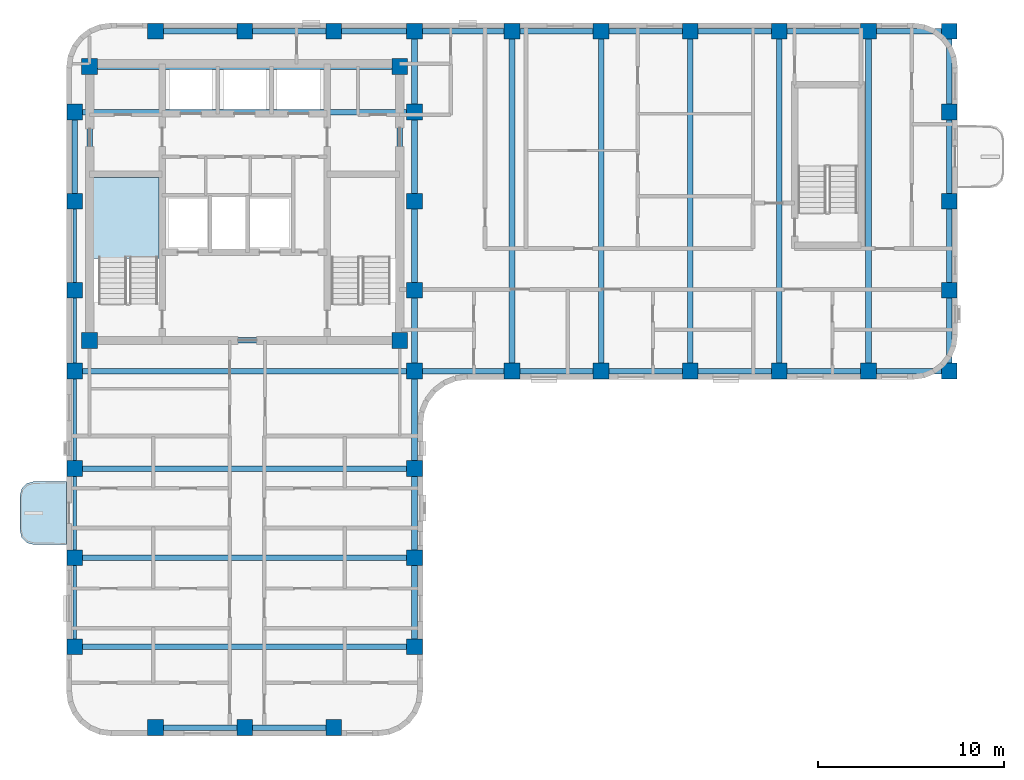
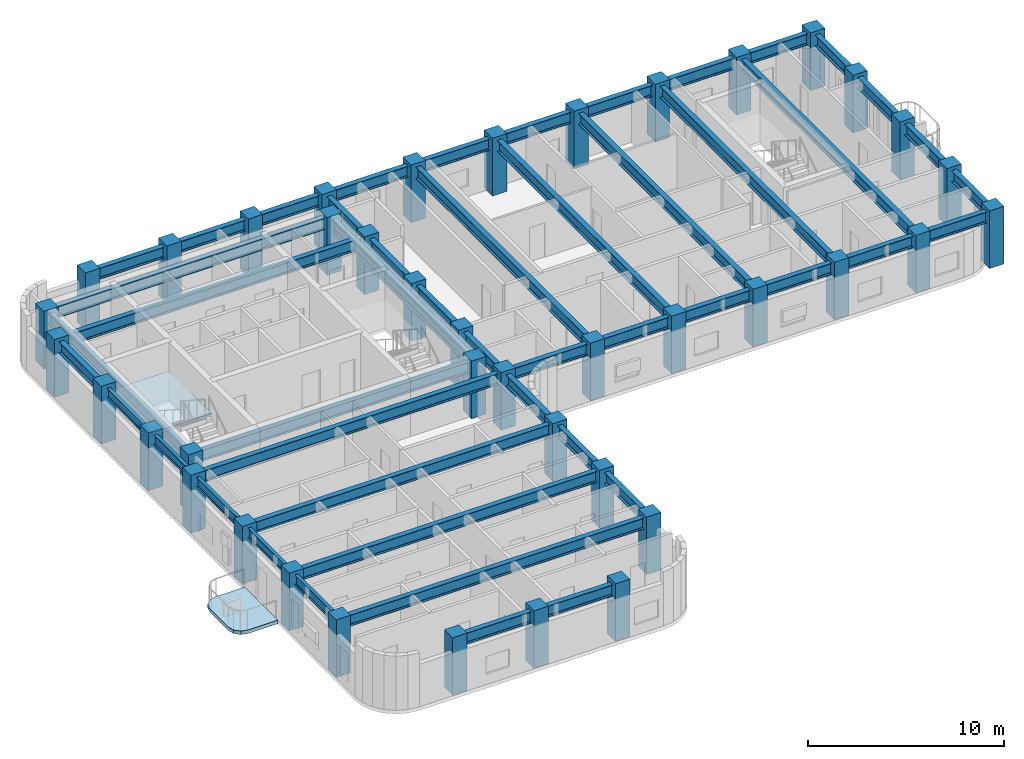
# One storey, part 1 of 10: 48 beams, 40 columns, 2 slabs, 1 element without a shape of its own.
"""IFC4 building model written with IfcOpenShell, lengths in metres."""

from ifc_helpers import new_model, si_unit, direction, frame, origin, origin_2d, place, context, subcontext, project, spatial, polyline, rectangle, i_section, outline, extrude, material, layer, layer_set, material_profile, profile_set, type_object, element, aggregate, save


model = new_model("IFC4")

# Units and contexts
model_context = context("Model", 3, precision=1e-05, world=origin(), true_north=direction((0.0, 1.0)))
body_context = subcontext(model_context, "Body", "Model", "MODEL_VIEW")
ifc_project = project(units=[si_unit("LENGTHUNIT", "METRE"), si_unit("AREAUNIT", "SQUARE_METRE"), si_unit("VOLUMEUNIT", "CUBIC_METRE"), si_unit("PLANEANGLEUNIT", "RADIAN"), si_unit("MASSUNIT", "GRAM", prefix="KILO")], contexts=[model_context])

# Site, building, storey
site_placement = place(None, origin())
site = spatial("IfcSite", under=ifc_project, at=site_placement, CompositionType="ELEMENT")
building_placement = place(site_placement, origin())
building = spatial("IfcBuilding", under=site, at=building_placement, Name="Orvandelia Arch Residences", CompositionType="ELEMENT")
storey_placement = place(building_placement, frame((0.0, 0.0, 211.0)))
storey = spatial("IfcBuildingStorey", under=building, at=storey_placement, Name="L55", CompositionType="ELEMENT", Elevation=211.0)

# Columns
ifc_material_1 = material(Name="Concrete C60/75", Category="concrete")
ifc_material_profile_1 = material_profile(ifc_material_1, rectangle(XDim=0.85009765625, YDim=0.85009765625, at=origin_2d()), Name="Concrete C60/75", Category="concrete")
ifc_profile_set_1 = profile_set([ifc_material_profile_1], Name="Concrete C60/75")
column_type = type_object("IfcColumnType", Name="COL-TWR-850", PredefinedType="COLUMN", material=ifc_profile_set_1)
for number, where, z_axis, x_axis, name in (
    (1, (5.25, 14.39990234375, 0.0), (0.0, 0.0, 1.0), (1.0, 0.0, 0.0), "Structural Column L55-W-W-144"),
    (2, (5.25, 19.199951171875, 0.0), (0.0, 0.0, 1.0), (1.0, 0.0, 0.0), "Structural Column L55-W-W-192"),
    (3, (5.25, 24.0, 0.0), (0.0, 0.0, 1.0), (1.0, 0.0, 0.0), "Structural Column L55-W-W-240"),
    (4, (5.25, 29.25, 0.0), (0.0, 0.0, 1.0), (1.0, 0.0, 0.0), "Structural Column L55-W-W-292"),
    (5, (5.25, 33.60009765625, 0.0), (0.0, 0.0, 1.0), (1.0, 0.0, 0.0), "Structural Column L55-W-W-336"),
    (6, (5.25, 38.39990234375, 0.0), (0.0, 0.0, 1.0), (1.0, 0.0, 0.0), "Structural Column L55-W-W-384"),
    (7, (5.25, 43.199951171875, 0.0), (0.0, 0.0, 1.0), (1.0, 0.0, 0.0), "Structural Column L55-W-W-432"),
    (8, (6.050048828125, 30.89990234375, 0.0), (0.0, 0.0, 1.0), (1.0, 0.0, 0.0), "Structural Column L55-CR-SW"),
    (9, (6.050048828125, 45.64990234375, 0.0), (0.0, 0.0, 1.0), (1.0, 0.0, 0.0), "Structural Column L55-CR-NW"),
    (10, (9.60009765625, 10.050048828125, 0.0), (0.0, 0.0, 1.0), (1.0, 0.0, 0.0), "Structural Column L55-W-S-96"),
    (11, (9.60009765625, 47.550048828125, 0.0), (0.0, 0.0, 1.0), (1.0, 0.0, 0.0), "Structural Column L55-W-N-96"),
    (12, (14.39990234375, 10.050048828125, 0.0), (0.0, 0.0, 1.0), (1.0, 0.0, 0.0), "Structural Column L55-W-S-144"),
    (13, (14.39990234375, 47.550048828125, 0.0), (0.0, 0.0, 1.0), (1.0, 0.0, 0.0), "Structural Column L55-W-N-144"),
    (14, (19.199951171875, 10.050048828125, 0.0), (0.0, 0.0, 1.0), (1.0, 0.0, 0.0), "Structural Column L55-W-S-192"),
    (15, (19.199951171875, 47.550048828125, 0.0), (0.0, 0.0, 1.0), (1.0, 0.0, 0.0), "Structural Column L55-W-N-192"),
    (16, (22.75, 30.89990234375, 0.0), (0.0, 0.0, 1.0), (1.0, 0.0, 0.0), "Structural Column L55-CR-SE"),
    (17, (22.75, 45.64990234375, 0.0), (0.0, 0.0, 1.0), (1.0, 0.0, 0.0), "Structural Column L55-CR-NE"),
    (18, (23.550048828125, 14.39990234375, 0.0), (0.0, 0.0, 1.0), (1.0, 0.0, 0.0), "Structural Column L55-W-E-144"),
    (19, (23.550048828125, 19.199951171875, 0.0), (0.0, 0.0, 1.0), (1.0, 0.0, 0.0), "Structural Column L55-W-E-192"),
    (20, (23.550048828125, 24.0, 0.0), (0.0, 0.0, 1.0), (1.0, 0.0, 0.0), "Structural Column L55-W-E-240"),
    (21, (23.550048828125, 29.25, 0.0), (0.0, 0.0, 1.0), (1.0, 0.0, 0.0), "Structural Column L55-W-E-292"),
    (22, (23.550048828125, 33.60009765625, 0.0), (0.0, 0.0, 1.0), (1.0, 0.0, 0.0), "Structural Column L55-W-E-336"),
    (23, (23.550048828125, 38.39990234375, 0.0), (0.0, 0.0, 1.0), (1.0, 0.0, 0.0), "Structural Column L55-W-E-384"),
    (24, (23.550048828125, 43.199951171875, 0.0), (0.0, 0.0, 1.0), (1.0, 0.0, 0.0), "Structural Column L55-W-E-432"),
    (25, (23.550048828125, 47.550048828125, 0.0), (0.0, 0.0, 1.0), (1.0, 0.0, 0.0), "Structural Column L55-W-N-235"),
    (26, (28.800048828125, 29.25, 0.0), (0.0, 0.0, 1.0), (1.0, 0.0, 0.0), "Structural Column L55-E-S-288"),
    (27, (28.800048828125, 47.550048828125, 0.0), (0.0, 0.0, 1.0), (1.0, 0.0, 0.0), "Structural Column L55-E-N-288"),
    (28, (33.60009765625, 29.25, 0.0), (0.0, 0.0, 1.0), (1.0, 0.0, 0.0), "Structural Column L55-E-S-336"),
    (29, (33.60009765625, 47.550048828125, 0.0), (0.0, 0.0, 1.0), (1.0, 0.0, 0.0), "Structural Column L55-E-N-336"),
    (30, (38.39990234375, 29.25, 0.0), (0.0, 0.0, 1.0), (1.0, 0.0, 0.0), "Structural Column L55-E-S-384"),
    (31, (38.39990234375, 47.550048828125, 0.0), (0.0, 0.0, 1.0), (1.0, 0.0, 0.0), "Structural Column L55-E-N-384"),
    (32, (43.199951171875, 29.25, 0.0), (0.0, 0.0, 1.0), (1.0, 0.0, 0.0), "Structural Column L55-E-S-432"),
    (33, (43.199951171875, 47.550048828125, 0.0), (0.0, 0.0, 1.0), (1.0, 0.0, 0.0), "Structural Column L55-E-N-432"),
    (34, (48.0, 29.25, 0.0), (0.0, 0.0, 1.0), (1.0, 0.0, 0.0), "Structural Column L55-E-S-480"),
    (35, (48.0, 47.550048828125, 0.0), (0.0, 0.0, 1.0), (1.0, 0.0, 0.0), "Structural Column L55-E-N-480"),
    (36, (52.35009765625, 29.25, 0.0), (0.0, 0.0, 1.0), (1.0, 0.0, 0.0), "Structural Column L55-E-S-523"),
    (37, (52.35009765625, 33.60009765625, 0.0), (0.0, 0.0, 1.0), (1.0, 0.0, 0.0), "Structural Column L55-E-523-336"),
    (38, (52.35009765625, 38.39990234375, 0.0), (0.0, 0.0, 1.0), (1.0, 0.0, 0.0), "Structural Column L55-E-523-384"),
    (39, (52.35009765625, 43.199951171875, 0.0), (0.0, 0.0, 1.0), (1.0, 0.0, 0.0), "Structural Column L55-E-523-432"),
    (40, (52.35009765625, 47.550048828125, 0.0), (0.0, 0.0, 1.0), (1.0, 0.0, 0.0), "Structural Column L55-E-N-523"),
):
    element("IfcColumn", number, at=place(storey_placement, frame(where, z_axis=z_axis, x_axis=x_axis)), inside=storey, type_object=column_type, Name=name, PredefinedType="COLUMN", context=body_context, shape_type="SweptSolid", body=[
        extrude(rectangle(XDim=0.85009765625, YDim=0.85009765625, at=origin_2d()), origin(), (0.0, 0.0, 1.0), 3.60009765625),
    ])

# Beams
ifc_material_2 = material(Name="Structural Steel SM355 (355 MPa)", Category="steel")
ifc_material_profile_2 = material_profile(ifc_material_2, i_section(OverallWidth=0.300048828125, OverallDepth=0.699951171875, WebThickness=0.012939453125, FlangeThickness=0.02392578125, FilletRadius=0.02392578125, at=origin_2d()), Name="Structural Steel SM355 (355 MPa)", Category="steel")
ifc_profile_set_2 = profile_set([ifc_material_profile_2], Name="Structural Steel SM355 (355 MPa)")
beam_type_1 = type_object("IfcBeamType", Name="BM-GRD-H700", PredefinedType="BEAM", material=ifc_profile_set_2)
beam_1_placement = place(storey_placement, frame((5.25, 38.39990234375, 3.030029296875), z_axis=(0.0, 1.0, 0.0), x_axis=(-1.0, 0.0, 0.0)))
element("IfcBeam", 41, at=beam_1_placement, inside=storey, type_object=beam_type_1, Name="Structural Frame Beam L55-NS-006", PredefinedType="BEAM", context=body_context, shape_type="SweptSolid", body=[
    extrude(i_section(OverallWidth=0.300048828125, OverallDepth=0.699951171875, WebThickness=0.012939453125, FlangeThickness=0.02392578125, FilletRadius=0.02392578125, at=origin_2d()), origin(), (0.0, 0.0, 1.0), 4.800048828125),
])
for number, where, z_axis, x_axis, name in (
    (42, (6.050048828125, 30.89990234375, 3.030029296875), (0.0, 1.0, 0.0), (-1.0, 0.0, 0.0), "Structural Frame Beam L55-NS-007"),
    (43, (22.75, 30.89990234375, 3.030029296875), (0.0, 1.0, 0.0), (-1.0, 0.0, 0.0), "Structural Frame Beam L55-NS-008"),
):
    element("IfcBeam", number, at=place(storey_placement, frame(where, z_axis=z_axis, x_axis=x_axis)), inside=storey, type_object=beam_type_1, Name=name, PredefinedType="BEAM", context=body_context, shape_type="SweptSolid", body=[
        extrude(i_section(OverallWidth=0.300048828125, OverallDepth=0.699951171875, WebThickness=0.012939453125, FlangeThickness=0.02392578125, FilletRadius=0.02392578125, at=origin_2d()), origin(), (0.0, 0.0, 1.0), 14.75),
    ])
for number, where, z_axis, x_axis, name in (
    (44, (23.550048828125, 14.39990234375, 3.030029296875), (0.0, 1.0, 0.0), (-1.0, 0.0, 0.0), "Structural Frame Beam L55-NS-009"),
    (45, (23.550048828125, 19.199951171875, 3.030029296875), (0.0, 1.0, 0.0), (-1.0, 0.0, 0.0), "Structural Frame Beam L55-NS-010"),
):
    element("IfcBeam", number, at=place(storey_placement, frame(where, z_axis=z_axis, x_axis=x_axis)), inside=storey, type_object=beam_type_1, Name=name, PredefinedType="BEAM", context=body_context, shape_type="SweptSolid", body=[
        extrude(i_section(OverallWidth=0.300048828125, OverallDepth=0.699951171875, WebThickness=0.012939453125, FlangeThickness=0.02392578125, FilletRadius=0.02392578125, at=origin_2d()), origin(), (0.0, 0.0, 1.0), 4.800048828125),
    ])
beam_2_placement = place(storey_placement, frame((23.550048828125, 24.0, 3.030029296875), z_axis=(0.0, 1.0, 0.0), x_axis=(-1.0, 0.0, 0.0)))
element("IfcBeam", 46, at=beam_2_placement, inside=storey, type_object=beam_type_1, Name="Structural Frame Beam L55-NS-011", PredefinedType="BEAM", context=body_context, shape_type="SweptSolid", body=[
    extrude(i_section(OverallWidth=0.300048828125, OverallDepth=0.699951171875, WebThickness=0.012939453125, FlangeThickness=0.02392578125, FilletRadius=0.02392578125, at=origin_2d()), origin(), (0.0, 0.0, 1.0), 5.25),
])
beam_3_placement = place(storey_placement, frame((23.550048828125, 29.25, 3.030029296875), z_axis=(0.0, 1.0, 0.0), x_axis=(-1.0, 0.0, 0.0)))
element("IfcBeam", 47, at=beam_3_placement, inside=storey, type_object=beam_type_1, Name="Structural Frame Beam L55-NS-012", PredefinedType="BEAM", context=body_context, shape_type="SweptSolid", body=[
    extrude(i_section(OverallWidth=0.300048828125, OverallDepth=0.699951171875, WebThickness=0.012939453125, FlangeThickness=0.02392578125, FilletRadius=0.02392578125, at=origin_2d()), origin(), (0.0, 0.0, 1.0), 4.35009765625),
])
beam_4_placement = place(storey_placement, frame((23.550048828125, 33.60009765625, 3.030029296875), z_axis=(0.0, 1.0, 0.0), x_axis=(-1.0, 0.0, 0.0)))
element("IfcBeam", 48, at=beam_4_placement, inside=storey, type_object=beam_type_1, Name="Structural Frame Beam L55-NS-013", PredefinedType="BEAM", context=body_context, shape_type="SweptSolid", body=[
    extrude(i_section(OverallWidth=0.300048828125, OverallDepth=0.699951171875, WebThickness=0.012939453125, FlangeThickness=0.02392578125, FilletRadius=0.02392578125, at=origin_2d()), origin(), (0.0, 0.0, 1.0), 4.7998046875),
])
beam_5_placement = place(storey_placement, frame((23.550048828125, 38.39990234375, 3.030029296875), z_axis=(0.0, 1.0, 0.0), x_axis=(-1.0, 0.0, 0.0)))
element("IfcBeam", 49, at=beam_5_placement, inside=storey, type_object=beam_type_1, Name="Structural Frame Beam L55-NS-014", PredefinedType="BEAM", context=body_context, shape_type="SweptSolid", body=[
    extrude(i_section(OverallWidth=0.300048828125, OverallDepth=0.699951171875, WebThickness=0.012939453125, FlangeThickness=0.02392578125, FilletRadius=0.02392578125, at=origin_2d()), origin(), (0.0, 0.0, 1.0), 4.800048828125),
])
beam_6_placement = place(storey_placement, frame((23.550048828125, 43.199951171875, 3.030029296875), z_axis=(0.0, 1.0, 0.0), x_axis=(-1.0, 0.0, 0.0)))
element("IfcBeam", 50, at=beam_6_placement, inside=storey, type_object=beam_type_1, Name="Structural Frame Beam L55-NS-015", PredefinedType="BEAM", context=body_context, shape_type="SweptSolid", body=[
    extrude(i_section(OverallWidth=0.300048828125, OverallDepth=0.699951171875, WebThickness=0.012939453125, FlangeThickness=0.02392578125, FilletRadius=0.02392578125, at=origin_2d()), origin(), (0.0, 0.0, 1.0), 4.35009765625),
])
for number, where, z_axis, x_axis, name in (
    (51, (28.800048828125, 29.25, 3.030029296875), (0.0, 1.0, 0.0), (-1.0, 0.0, 0.0), "Structural Frame Beam L55-NS-016"),
    (52, (33.60009765625, 29.25, 3.030029296875), (0.0, 1.0, 0.0), (-1.0, 0.0, 0.0), "Structural Frame Beam L55-NS-017"),
    (53, (38.39990234375, 29.25, 3.030029296875), (0.0, 1.0, 0.0), (-1.0, 0.0, 0.0), "Structural Frame Beam L55-NS-018"),
    (54, (43.199951171875, 29.25, 3.030029296875), (0.0, 1.0, 0.0), (-1.0, 0.0, 0.0), "Structural Frame Beam L55-NS-019"),
    (55, (48.0, 29.25, 3.030029296875), (0.0, 1.0, 0.0), (-1.0, 0.0, 0.0), "Structural Frame Beam L55-NS-020"),
):
    element("IfcBeam", number, at=place(storey_placement, frame(where, z_axis=z_axis, x_axis=x_axis)), inside=storey, type_object=beam_type_1, Name=name, PredefinedType="BEAM", context=body_context, shape_type="SweptSolid", body=[
        extrude(i_section(OverallWidth=0.300048828125, OverallDepth=0.699951171875, WebThickness=0.012939453125, FlangeThickness=0.02392578125, FilletRadius=0.02392578125, at=origin_2d()), origin(), (0.0, 0.0, 1.0), 18.300048828125),
    ])
beam_7_placement = place(storey_placement, frame((52.35009765625, 29.25, 3.030029296875), z_axis=(0.0, 1.0, 0.0), x_axis=(-1.0, 0.0, 0.0)))
element("IfcBeam", 56, at=beam_7_placement, inside=storey, type_object=beam_type_1, Name="Structural Frame Beam L55-NS-021", PredefinedType="BEAM", context=body_context, shape_type="SweptSolid", body=[
    extrude(i_section(OverallWidth=0.300048828125, OverallDepth=0.699951171875, WebThickness=0.012939453125, FlangeThickness=0.02392578125, FilletRadius=0.02392578125, at=origin_2d()), origin(), (0.0, 0.0, 1.0), 4.35009765625),
])
beam_8_placement = place(storey_placement, frame((52.35009765625, 33.60009765625, 3.030029296875), z_axis=(0.0, 1.0, 0.0), x_axis=(-1.0, 0.0, 0.0)))
element("IfcBeam", 57, at=beam_8_placement, inside=storey, type_object=beam_type_1, Name="Structural Frame Beam L55-NS-022", PredefinedType="BEAM", context=body_context, shape_type="SweptSolid", body=[
    extrude(i_section(OverallWidth=0.300048828125, OverallDepth=0.699951171875, WebThickness=0.012939453125, FlangeThickness=0.02392578125, FilletRadius=0.02392578125, at=origin_2d()), origin(), (0.0, 0.0, 1.0), 4.7998046875),
])
beam_9_placement = place(storey_placement, frame((52.35009765625, 38.39990234375, 3.030029296875), z_axis=(0.0, 1.0, 0.0), x_axis=(-1.0, 0.0, 0.0)))
element("IfcBeam", 58, at=beam_9_placement, inside=storey, type_object=beam_type_1, Name="Structural Frame Beam L55-NS-023", PredefinedType="BEAM", context=body_context, shape_type="SweptSolid", body=[
    extrude(i_section(OverallWidth=0.300048828125, OverallDepth=0.699951171875, WebThickness=0.012939453125, FlangeThickness=0.02392578125, FilletRadius=0.02392578125, at=origin_2d()), origin(), (0.0, 0.0, 1.0), 4.800048828125),
])
beam_10_placement = place(storey_placement, frame((52.35009765625, 43.199951171875, 3.030029296875), z_axis=(0.0, 1.0, 0.0), x_axis=(-1.0, 0.0, 0.0)))
element("IfcBeam", 59, at=beam_10_placement, inside=storey, type_object=beam_type_1, Name="Structural Frame Beam L55-NS-024", PredefinedType="BEAM", context=body_context, shape_type="SweptSolid", body=[
    extrude(i_section(OverallWidth=0.300048828125, OverallDepth=0.699951171875, WebThickness=0.012939453125, FlangeThickness=0.02392578125, FilletRadius=0.02392578125, at=origin_2d()), origin(), (0.0, 0.0, 1.0), 4.35009765625),
])
beam_11_placement = place(storey_placement, frame((9.60009765625, 10.050048828125, 3.030029296875), z_axis=(1.0, 0.0, 0.0), x_axis=(0.0, 1.0, 0.0)))
element("IfcBeam", 60, at=beam_11_placement, inside=storey, type_object=beam_type_1, Name="Structural Frame Girder L55-EW-025", PredefinedType="BEAM", context=body_context, shape_type="SweptSolid", body=[
    extrude(i_section(OverallWidth=0.300048828125, OverallDepth=0.699951171875, WebThickness=0.012939453125, FlangeThickness=0.02392578125, FilletRadius=0.02392578125, at=origin_2d()), origin(), (0.0, 0.0, 1.0), 4.7998046875),
])
beam_12_placement = place(storey_placement, frame((14.39990234375, 10.050048828125, 3.030029296875), z_axis=(1.0, 0.0, 0.0), x_axis=(0.0, 1.0, 0.0)))
element("IfcBeam", 61, at=beam_12_placement, inside=storey, type_object=beam_type_1, Name="Structural Frame Girder L55-EW-026", PredefinedType="BEAM", context=body_context, shape_type="SweptSolid", body=[
    extrude(i_section(OverallWidth=0.300048828125, OverallDepth=0.699951171875, WebThickness=0.012939453125, FlangeThickness=0.02392578125, FilletRadius=0.02392578125, at=origin_2d()), origin(), (0.0, 0.0, 1.0), 4.800048828125),
])
for number, where, z_axis, x_axis, name in (
    (62, (5.25, 14.39990234375, 3.030029296875), (1.0, 0.0, 0.0), (0.0, 1.0, 0.0), "Structural Frame Girder L55-EW-027"),
    (63, (5.25, 19.199951171875, 3.030029296875), (1.0, 0.0, 0.0), (0.0, 1.0, 0.0), "Structural Frame Girder L55-EW-028"),
    (64, (5.25, 24.0, 3.030029296875), (1.0, 0.0, 0.0), (0.0, 1.0, 0.0), "Structural Frame Girder L55-EW-029"),
    (65, (5.25, 29.25, 3.030029296875), (1.0, 0.0, 0.0), (0.0, 1.0, 0.0), "Structural Frame Girder L55-EW-030"),
):
    element("IfcBeam", number, at=place(storey_placement, frame(where, z_axis=z_axis, x_axis=x_axis)), inside=storey, type_object=beam_type_1, Name=name, PredefinedType="BEAM", context=body_context, shape_type="SweptSolid", body=[
        extrude(i_section(OverallWidth=0.300048828125, OverallDepth=0.699951171875, WebThickness=0.012939453125, FlangeThickness=0.02392578125, FilletRadius=0.02392578125, at=origin_2d()), origin(), (0.0, 0.0, 1.0), 18.300048828125),
    ])
beam_13_placement = place(storey_placement, frame((23.550048828125, 29.25, 3.030029296875), z_axis=(1.0, 0.0, 0.0), x_axis=(0.0, 1.0, 0.0)))
element("IfcBeam", 66, at=beam_13_placement, inside=storey, type_object=beam_type_1, Name="Structural Frame Girder L55-EW-031", PredefinedType="BEAM", context=body_context, shape_type="SweptSolid", body=[
    extrude(i_section(OverallWidth=0.300048828125, OverallDepth=0.699951171875, WebThickness=0.012939453125, FlangeThickness=0.02392578125, FilletRadius=0.02392578125, at=origin_2d()), origin(), (0.0, 0.0, 1.0), 5.25),
])
beam_14_placement = place(storey_placement, frame((28.800048828125, 29.25, 3.030029296875), z_axis=(1.0, 0.0, 0.0), x_axis=(0.0, 1.0, 0.0)))
element("IfcBeam", 67, at=beam_14_placement, inside=storey, type_object=beam_type_1, Name="Structural Frame Girder L55-EW-032", PredefinedType="BEAM", context=body_context, shape_type="SweptSolid", body=[
    extrude(i_section(OverallWidth=0.300048828125, OverallDepth=0.699951171875, WebThickness=0.012939453125, FlangeThickness=0.02392578125, FilletRadius=0.02392578125, at=origin_2d()), origin(), (0.0, 0.0, 1.0), 4.800048828125),
])
beam_15_placement = place(storey_placement, frame((33.60009765625, 29.25, 3.030029296875), z_axis=(1.0, 0.0, 0.0), x_axis=(0.0, 1.0, 0.0)))
element("IfcBeam", 68, at=beam_15_placement, inside=storey, type_object=beam_type_1, Name="Structural Frame Girder L55-EW-033", PredefinedType="BEAM", context=body_context, shape_type="SweptSolid", body=[
    extrude(i_section(OverallWidth=0.300048828125, OverallDepth=0.699951171875, WebThickness=0.012939453125, FlangeThickness=0.02392578125, FilletRadius=0.02392578125, at=origin_2d()), origin(), (0.0, 0.0, 1.0), 4.7998046875),
])
for number, where, z_axis, x_axis, name in (
    (69, (38.39990234375, 29.25, 3.030029296875), (1.0, 0.0, 0.0), (0.0, 1.0, 0.0), "Structural Frame Girder L55-EW-034"),
    (70, (43.199951171875, 29.25, 3.030029296875), (1.0, 0.0, 0.0), (0.0, 1.0, 0.0), "Structural Frame Girder L55-EW-035"),
):
    element("IfcBeam", number, at=place(storey_placement, frame(where, z_axis=z_axis, x_axis=x_axis)), inside=storey, type_object=beam_type_1, Name=name, PredefinedType="BEAM", context=body_context, shape_type="SweptSolid", body=[
        extrude(i_section(OverallWidth=0.300048828125, OverallDepth=0.699951171875, WebThickness=0.012939453125, FlangeThickness=0.02392578125, FilletRadius=0.02392578125, at=origin_2d()), origin(), (0.0, 0.0, 1.0), 4.800048828125),
    ])
beam_16_placement = place(storey_placement, frame((48.0, 29.25, 3.030029296875), z_axis=(1.0, 0.0, 0.0), x_axis=(0.0, 1.0, 0.0)))
element("IfcBeam", 71, at=beam_16_placement, inside=storey, type_object=beam_type_1, Name="Structural Frame Girder L55-EW-036", PredefinedType="BEAM", context=body_context, shape_type="SweptSolid", body=[
    extrude(i_section(OverallWidth=0.300048828125, OverallDepth=0.699951171875, WebThickness=0.012939453125, FlangeThickness=0.02392578125, FilletRadius=0.02392578125, at=origin_2d()), origin(), (0.0, 0.0, 1.0), 4.35009765625),
])
beam_17_placement = place(storey_placement, frame((6.050048828125, 30.89990234375, 3.030029296875), z_axis=(1.0, 0.0, 0.0), x_axis=(0.0, 1.0, 0.0)))
element("IfcBeam", 72, at=beam_17_placement, inside=storey, type_object=beam_type_1, Name="Structural Frame Girder L55-EW-037", PredefinedType="BEAM", context=body_context, shape_type="SweptSolid", body=[
    extrude(i_section(OverallWidth=0.300048828125, OverallDepth=0.699951171875, WebThickness=0.012939453125, FlangeThickness=0.02392578125, FilletRadius=0.02392578125, at=origin_2d()), origin(), (0.0, 0.0, 1.0), 16.699951171875),
])
beam_18_placement = place(storey_placement, frame((5.25, 43.199951171875, 3.030029296875), z_axis=(1.0, 0.0, 0.0), x_axis=(0.0, 1.0, 0.0)))
element("IfcBeam", 73, at=beam_18_placement, inside=storey, type_object=beam_type_1, Name="Structural Frame Girder L55-EW-040", PredefinedType="BEAM", context=body_context, shape_type="SweptSolid", body=[
    extrude(i_section(OverallWidth=0.300048828125, OverallDepth=0.699951171875, WebThickness=0.012939453125, FlangeThickness=0.02392578125, FilletRadius=0.02392578125, at=origin_2d()), origin(), (0.0, 0.0, 1.0), 18.300048828125),
])
beam_19_placement = place(storey_placement, frame((6.050048828125, 45.64990234375, 3.030029296875), z_axis=(1.0, 0.0, 0.0), x_axis=(0.0, 1.0, 0.0)))
element("IfcBeam", 74, at=beam_19_placement, inside=storey, type_object=beam_type_1, Name="Structural Frame Girder L55-EW-041", PredefinedType="BEAM", context=body_context, shape_type="SweptSolid", body=[
    extrude(i_section(OverallWidth=0.300048828125, OverallDepth=0.699951171875, WebThickness=0.012939453125, FlangeThickness=0.02392578125, FilletRadius=0.02392578125, at=origin_2d()), origin(), (0.0, 0.0, 1.0), 16.699951171875),
])
beam_20_placement = place(storey_placement, frame((9.60009765625, 47.550048828125, 3.030029296875), z_axis=(1.0, 0.0, 0.0), x_axis=(0.0, 1.0, 0.0)))
element("IfcBeam", 75, at=beam_20_placement, inside=storey, type_object=beam_type_1, Name="Structural Frame Girder L55-EW-042", PredefinedType="BEAM", context=body_context, shape_type="SweptSolid", body=[
    extrude(i_section(OverallWidth=0.300048828125, OverallDepth=0.699951171875, WebThickness=0.012939453125, FlangeThickness=0.02392578125, FilletRadius=0.02392578125, at=origin_2d()), origin(), (0.0, 0.0, 1.0), 4.7998046875),
])
beam_21_placement = place(storey_placement, frame((14.39990234375, 47.550048828125, 3.030029296875), z_axis=(1.0, 0.0, 0.0), x_axis=(0.0, 1.0, 0.0)))
element("IfcBeam", 76, at=beam_21_placement, inside=storey, type_object=beam_type_1, Name="Structural Frame Girder L55-EW-043", PredefinedType="BEAM", context=body_context, shape_type="SweptSolid", body=[
    extrude(i_section(OverallWidth=0.300048828125, OverallDepth=0.699951171875, WebThickness=0.012939453125, FlangeThickness=0.02392578125, FilletRadius=0.02392578125, at=origin_2d()), origin(), (0.0, 0.0, 1.0), 4.800048828125),
])
beam_22_placement = place(storey_placement, frame((19.199951171875, 47.550048828125, 3.030029296875), z_axis=(1.0, 0.0, 0.0), x_axis=(0.0, 1.0, 0.0)))
element("IfcBeam", 77, at=beam_22_placement, inside=storey, type_object=beam_type_1, Name="Structural Frame Girder L55-EW-044", PredefinedType="BEAM", context=body_context, shape_type="SweptSolid", body=[
    extrude(i_section(OverallWidth=0.300048828125, OverallDepth=0.699951171875, WebThickness=0.012939453125, FlangeThickness=0.02392578125, FilletRadius=0.02392578125, at=origin_2d()), origin(), (0.0, 0.0, 1.0), 4.35009765625),
])
beam_23_placement = place(storey_placement, frame((23.550048828125, 47.550048828125, 3.030029296875), z_axis=(1.0, 0.0, 0.0), x_axis=(0.0, 1.0, 0.0)))
element("IfcBeam", 78, at=beam_23_placement, inside=storey, type_object=beam_type_1, Name="Structural Frame Girder L55-EW-045", PredefinedType="BEAM", context=body_context, shape_type="SweptSolid", body=[
    extrude(i_section(OverallWidth=0.300048828125, OverallDepth=0.699951171875, WebThickness=0.012939453125, FlangeThickness=0.02392578125, FilletRadius=0.02392578125, at=origin_2d()), origin(), (0.0, 0.0, 1.0), 5.25),
])
beam_24_placement = place(storey_placement, frame((28.800048828125, 47.550048828125, 3.030029296875), z_axis=(1.0, 0.0, 0.0), x_axis=(0.0, 1.0, 0.0)))
element("IfcBeam", 79, at=beam_24_placement, inside=storey, type_object=beam_type_1, Name="Structural Frame Girder L55-EW-046", PredefinedType="BEAM", context=body_context, shape_type="SweptSolid", body=[
    extrude(i_section(OverallWidth=0.300048828125, OverallDepth=0.699951171875, WebThickness=0.012939453125, FlangeThickness=0.02392578125, FilletRadius=0.02392578125, at=origin_2d()), origin(), (0.0, 0.0, 1.0), 4.800048828125),
])
beam_25_placement = place(storey_placement, frame((33.60009765625, 47.550048828125, 3.030029296875), z_axis=(1.0, 0.0, 0.0), x_axis=(0.0, 1.0, 0.0)))
element("IfcBeam", 80, at=beam_25_placement, inside=storey, type_object=beam_type_1, Name="Structural Frame Girder L55-EW-047", PredefinedType="BEAM", context=body_context, shape_type="SweptSolid", body=[
    extrude(i_section(OverallWidth=0.300048828125, OverallDepth=0.699951171875, WebThickness=0.012939453125, FlangeThickness=0.02392578125, FilletRadius=0.02392578125, at=origin_2d()), origin(), (0.0, 0.0, 1.0), 4.7998046875),
])
for number, where, z_axis, x_axis, name in (
    (81, (38.39990234375, 47.550048828125, 3.030029296875), (1.0, 0.0, 0.0), (0.0, 1.0, 0.0), "Structural Frame Girder L55-EW-048"),
    (82, (43.199951171875, 47.550048828125, 3.030029296875), (1.0, 0.0, 0.0), (0.0, 1.0, 0.0), "Structural Frame Girder L55-EW-049"),
):
    element("IfcBeam", number, at=place(storey_placement, frame(where, z_axis=z_axis, x_axis=x_axis)), inside=storey, type_object=beam_type_1, Name=name, PredefinedType="BEAM", context=body_context, shape_type="SweptSolid", body=[
        extrude(i_section(OverallWidth=0.300048828125, OverallDepth=0.699951171875, WebThickness=0.012939453125, FlangeThickness=0.02392578125, FilletRadius=0.02392578125, at=origin_2d()), origin(), (0.0, 0.0, 1.0), 4.800048828125),
    ])
beam_26_placement = place(storey_placement, frame((48.0, 47.550048828125, 3.030029296875), z_axis=(1.0, 0.0, 0.0), x_axis=(0.0, 1.0, 0.0)))
element("IfcBeam", 83, at=beam_26_placement, inside=storey, type_object=beam_type_1, Name="Structural Frame Girder L55-EW-050", PredefinedType="BEAM", context=body_context, shape_type="SweptSolid", body=[
    extrude(i_section(OverallWidth=0.300048828125, OverallDepth=0.699951171875, WebThickness=0.012939453125, FlangeThickness=0.02392578125, FilletRadius=0.02392578125, at=origin_2d()), origin(), (0.0, 0.0, 1.0), 4.35009765625),
])
ifc_material_profile_3 = material_profile(ifc_material_2, i_section(OverallWidth=0.199951171875, OverallDepth=0.60009765625, WebThickness=0.010986328125, FlangeThickness=0.01708984375, FilletRadius=0.02197265625, at=origin_2d()), Name="Structural Steel SM355 (355 MPa)", Category="steel")
ifc_profile_set_3 = profile_set([ifc_material_profile_3], Name="Structural Steel SM355 (355 MPa)")
beam_type_2 = type_object("IfcBeamType", Name="BM-SPN-H600", PredefinedType="SPANDREL", material=ifc_profile_set_3)
for number, where, z_axis, x_axis, name in (
    (84, (5.25, 14.39990234375, 3.080078125), (0.0, 1.0, 0.0), (-1.0, 0.0, 0.0), "Structural Frame Beam L55-NS-001"),
    (85, (5.25, 19.199951171875, 3.080078125), (0.0, 1.0, 0.0), (-1.0, 0.0, 0.0), "Structural Frame Beam L55-NS-002"),
):
    element("IfcBeam", number, at=place(storey_placement, frame(where, z_axis=z_axis, x_axis=x_axis)), inside=storey, type_object=beam_type_2, Name=name, PredefinedType="SPANDREL", context=body_context, shape_type="SweptSolid", body=[
        extrude(i_section(OverallWidth=0.199951171875, OverallDepth=0.60009765625, WebThickness=0.010986328125, FlangeThickness=0.01708984375, FilletRadius=0.02197265625, at=origin_2d()), origin(), (0.0, 0.0, 1.0), 4.800048828125),
    ])
beam_27_placement = place(storey_placement, frame((5.25, 24.0, 3.080078125), z_axis=(0.0, 1.0, 0.0), x_axis=(-1.0, 0.0, 0.0)))
element("IfcBeam", 86, at=beam_27_placement, inside=storey, type_object=beam_type_2, Name="Structural Frame Beam L55-NS-003", PredefinedType="SPANDREL", context=body_context, shape_type="SweptSolid", body=[
    extrude(i_section(OverallWidth=0.199951171875, OverallDepth=0.60009765625, WebThickness=0.010986328125, FlangeThickness=0.01708984375, FilletRadius=0.02197265625, at=origin_2d()), origin(), (0.0, 0.0, 1.0), 5.25),
])
beam_28_placement = place(storey_placement, frame((5.25, 29.25, 3.080078125), z_axis=(0.0, 1.0, 0.0), x_axis=(-1.0, 0.0, 0.0)))
element("IfcBeam", 87, at=beam_28_placement, inside=storey, type_object=beam_type_2, Name="Structural Frame Beam L55-NS-004", PredefinedType="SPANDREL", context=body_context, shape_type="SweptSolid", body=[
    extrude(i_section(OverallWidth=0.199951171875, OverallDepth=0.60009765625, WebThickness=0.010986328125, FlangeThickness=0.01708984375, FilletRadius=0.02197265625, at=origin_2d()), origin(), (0.0, 0.0, 1.0), 4.35009765625),
])
beam_29_placement = place(storey_placement, frame((5.25, 33.60009765625, 3.080078125), z_axis=(0.0, 1.0, 0.0), x_axis=(-1.0, 0.0, 0.0)))
element("IfcBeam", 88, at=beam_29_placement, inside=storey, type_object=beam_type_2, Name="Structural Frame Beam L55-NS-005", PredefinedType="SPANDREL", context=body_context, shape_type="SweptSolid", body=[
    extrude(i_section(OverallWidth=0.199951171875, OverallDepth=0.60009765625, WebThickness=0.010986328125, FlangeThickness=0.01708984375, FilletRadius=0.02197265625, at=origin_2d()), origin(), (0.0, 0.0, 1.0), 4.7998046875),
])

# Slab
ifc_material_3 = material(Name="Precast concrete C40/50", Category="concrete")
ifc_layer_1 = layer(ifc_material_3, 0.219970703125, Name="Precast concrete C40/50", Category="concrete")
ifc_layer_set_1 = layer_set([ifc_layer_1], Name="Precast concrete C40/50")
slab_type_1 = type_object("IfcSlabType", Name="SLB-BAL-220", PredefinedType="USERDEFINED", material=ifc_layer_set_1)
slab_1_placement = place(storey_placement, frame((0.0, 0.0, -0.219970703125)))
element("IfcSlab", 89, at=slab_1_placement, inside=storey, type_object=slab_type_1, Name="Tree Balcony Cantilever Slab BAL-L55-W1", ObjectType="BALCONY", PredefinedType="USERDEFINED", context=body_context, shape_type="SweptSolid", body=[
    extrude(outline(polyline([(4.800048828125, 19.89990234375), (4.800048828125, 23.300048828125), (3.050048828125, 23.300048828125), (2.675048828125, 23.199462890625), (2.400390625, 22.925048828125), (2.300048828125, 22.550048828125), (2.300048828125, 20.64990234375), (2.400390625, 20.27490234375), (2.675048828125, 20.00048828125), (3.050048828125, 19.89990234375), (4.800048828125, 19.89990234375)])), origin(), (0.0, 0.0, 1.0), 0.219970703125),
])

# Stair, slab
ifc_material_4 = material(Name="Concrete C40/50", Category="concrete")
stair_type = type_object("IfcStairType", Name="STAIR-RC-DOGLEG", PredefinedType="HALF_TURN_STAIR", material=ifc_material_4)
stair_placement = place(storey_placement, origin())
stair = element("IfcStair", 90, at=stair_placement, inside=storey, type_object=stair_type, Name="L55 Protected Exit Stair ST-1", PredefinedType="HALF_TURN_STAIR")
ifc_layer_2 = layer(ifc_material_4, 0.219970703125, Name="Concrete C40/50", Category="concrete")
ifc_layer_set_2 = layer_set([ifc_layer_2], Name="Concrete C40/50")
slab_type_2 = type_object("IfcSlabType", Name="SLB-LANDING-220", PredefinedType="LANDING", material=ifc_layer_set_2)
slab_2_placement = place(storey_placement, frame((0.0, 0.0, 1.60009765625)))
slab_2 = element("IfcSlab", 91, at=slab_2_placement, type_object=slab_type_2, Name="ST-1 landing 1", PredefinedType="LANDING", context=body_context, shape_type="SweptSolid", body=[
    extrude(outline(polyline([(9.800048828125, 35.31005859375), (9.800048828125, 39.68994140625), (6.260009765625, 39.68994140625), (6.260009765625, 35.31005859375), (9.800048828125, 35.31005859375)])), origin(), (0.0, 0.0, 1.0), 0.199951171875),
])
aggregate(stair, [slab_2])

save(model, "model.ifc")
